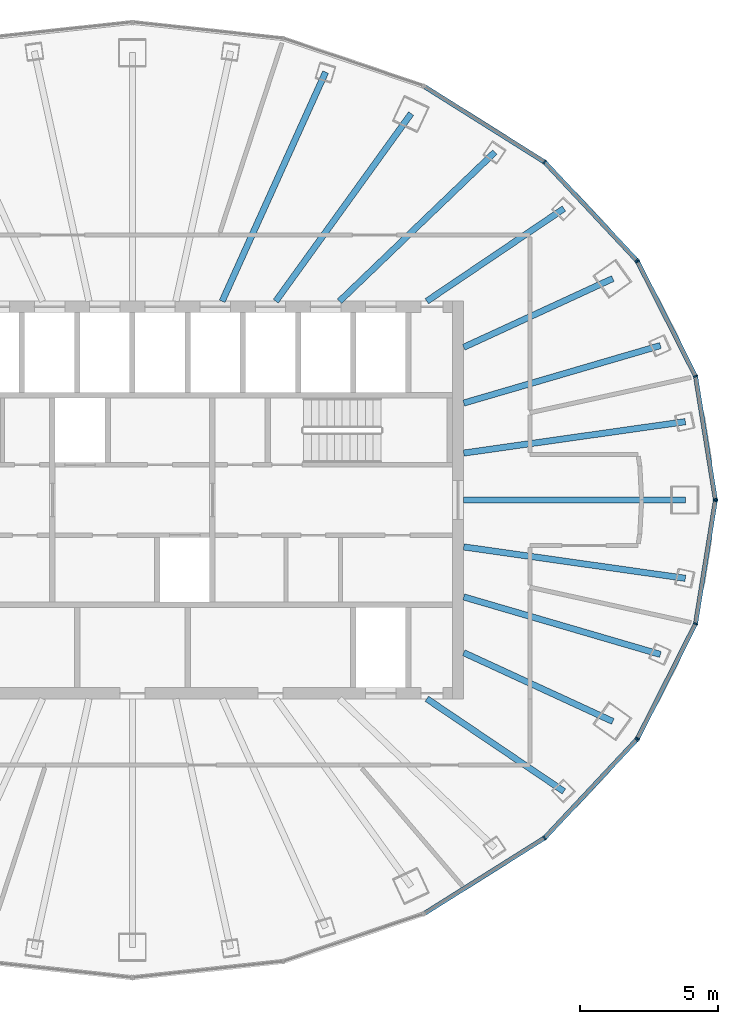
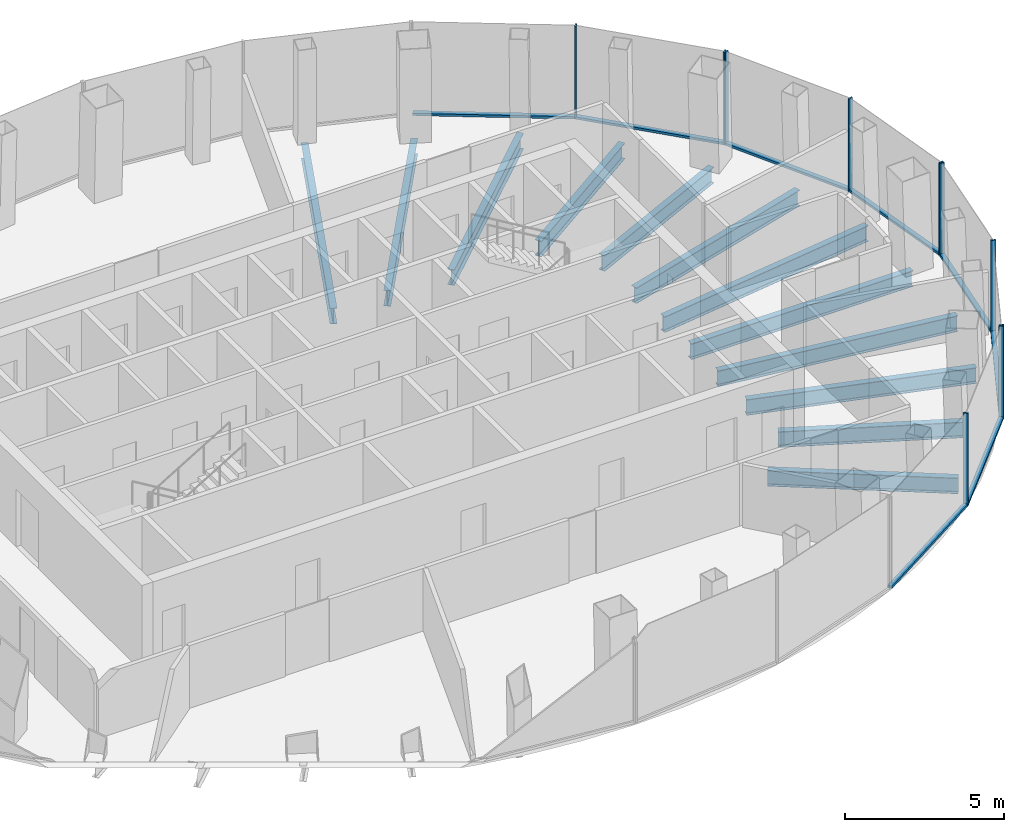
# One storey, part 5 of 11: 18 members, 12 beams, 4 elements without a shape of their own.
"""IFC4 building model written with IfcOpenShell, lengths in metres."""

from ifc_helpers import new_model, si_unit, direction, frame, origin, origin_2d, place, context, subcontext, project, spatial, rectangle, i_section, extrude, material, layer, layer_set, material_profile, profile_set, type_object, element, aggregate, save


model = new_model("IFC4")

# Units and contexts
model_context = context("Model", 3, precision=1e-05, world=origin(), true_north=direction((0.0, 1.0)))
body_context = subcontext(model_context, "Body", "Model", "MODEL_VIEW")
ifc_project = project(units=[si_unit("LENGTHUNIT", "METRE"), si_unit("AREAUNIT", "SQUARE_METRE"), si_unit("VOLUMEUNIT", "CUBIC_METRE"), si_unit("PLANEANGLEUNIT", "RADIAN"), si_unit("MASSUNIT", "GRAM", prefix="KILO")], contexts=[model_context])

# Site, building, storey
site_placement = place(None, origin())
site = spatial("IfcSite", under=ifc_project, at=site_placement, CompositionType="ELEMENT")
building_placement = place(site_placement, origin())
building = spatial("IfcBuilding", under=site, at=building_placement, Name="Siaravel Broadcast Tower", CompositionType="ELEMENT")
storey_placement = place(building_placement, frame((0.0, 0.0, 243.0)))
storey = spatial("IfcBuildingStorey", under=building, at=storey_placement, Name="L59", CompositionType="ELEMENT", Elevation=243.0)

# Beams
ifc_material_1 = material(Name="Steel S355", Category="steel")
ifc_material_profile_1 = material_profile(ifc_material_1, i_section(OverallWidth=0.2275390625, OverallDepth=0.6025390625, WebThickness=0.010498046875, FlangeThickness=0.014892578125, FilletRadius=0.0126953125, at=origin_2d()))
ifc_profile_set_1 = profile_set([ifc_material_profile_1], Name="Steel S355")
beam_type = type_object("IfcBeamType", Name="BM-UB 610x229x101", PredefinedType="BEAM", material=ifc_profile_set_1)
beam_1_placement = place(storey_placement, frame((20.031982421875, 0.0, -0.451416015625), z_axis=(-1.0, 0.0, 0.0), x_axis=(0.0, -1.0, 0.0)))
element("IfcBeam", 1, at=beam_1_placement, inside=storey, type_object=beam_type, Name="Radial beam RB01", PredefinedType="BEAM", context=body_context, shape_type="SweptSolid", body=[
    extrude(i_section(OverallWidth=0.2275390625, OverallDepth=0.6025390625, WebThickness=0.010498046875, FlangeThickness=0.014892578125, FilletRadius=0.0126953125, at=origin_2d()), origin(), (0.0, 0.0, 1.0), 8.031982421875),
])
beam_2_placement = place(storey_placement, frame((20.02880859375, 2.83740234375, -0.451416015625), z_axis=(-0.990113211, -0.140270554, 0.0), x_axis=(0.140270554, -0.990113211, 0.0)))
element("IfcBeam", 2, at=beam_2_placement, inside=storey, type_object=beam_type, Name="Radial beam RB02", PredefinedType="BEAM", context=body_context, shape_type="SweptSolid", body=[
    extrude(i_section(OverallWidth=0.2275390625, OverallDepth=0.6025390625, WebThickness=0.010498046875, FlangeThickness=0.014892578125, FilletRadius=0.0126953125, at=origin_2d()), origin(), (0.0, 0.0, 1.0), 8.10888671875),
])
beam_3_placement = place(storey_placement, frame((19.12646484375, 5.59521484375, -0.451416015625), z_axis=(-0.95977653, -0.280765049, 0.0), x_axis=(0.280765049, -0.95977653, 0.0)))
element("IfcBeam", 3, at=beam_3_placement, inside=storey, type_object=beam_type, Name="Radial beam RB03", PredefinedType="BEAM", context=body_context, shape_type="SweptSolid", body=[
    extrude(i_section(OverallWidth=0.2275390625, OverallDepth=0.6025390625, WebThickness=0.010498046875, FlangeThickness=0.014892578125, FilletRadius=0.0126953125, at=origin_2d()), origin(), (0.0, 0.0, 1.0), 7.425048828125),
])
beam_4_placement = place(storey_placement, frame((17.401611328125, 8.02099609375, -0.451416015625), z_axis=(-0.908170712, -0.418599997, 0.0), x_axis=(0.418599997, -0.908170712, 0.0)))
element("IfcBeam", 4, at=beam_4_placement, inside=storey, type_object=beam_type, Name="Radial beam RB04", PredefinedType="BEAM", context=body_context, shape_type="SweptSolid", body=[
    extrude(i_section(OverallWidth=0.2275390625, OverallDepth=0.6025390625, WebThickness=0.010498046875, FlangeThickness=0.014892578125, FilletRadius=0.0126953125, at=origin_2d()), origin(), (0.0, 0.0, 1.0), 5.94775390625),
])
beam_5_placement = place(storey_placement, frame((15.629150390625, 10.5537109375, -0.451416015625), z_axis=(-0.82874523, -0.559626074, 0.0), x_axis=(0.559626074, -0.82874523, 0.0)))
element("IfcBeam", 5, at=beam_5_placement, inside=storey, type_object=beam_type, Name="Radial beam RB05", PredefinedType="BEAM", context=body_context, shape_type="SweptSolid", body=[
    extrude(i_section(OverallWidth=0.2275390625, OverallDepth=0.6025390625, WebThickness=0.010498046875, FlangeThickness=0.014892578125, FilletRadius=0.0126953125, at=origin_2d()), origin(), (0.0, 0.0, 1.0), 5.992919921875),
])
beam_6_placement = place(storey_placement, frame((13.130126953125, 12.6005859375, -0.451416015625), z_axis=(-0.721496776, -0.692417795, 0.0), x_axis=(0.692417795, -0.721496776, 0.0)))
element("IfcBeam", 6, at=beam_6_placement, inside=storey, type_object=beam_type, Name="Radial beam RB06", PredefinedType="BEAM", context=body_context, shape_type="SweptSolid", body=[
    extrude(i_section(OverallWidth=0.2275390625, OverallDepth=0.6025390625, WebThickness=0.010498046875, FlangeThickness=0.014892578125, FilletRadius=0.0126953125, at=origin_2d()), origin(), (0.0, 0.0, 1.0), 7.799560546875),
])
beam_7_placement = place(storey_placement, frame((10.095703125, 13.995849609375, -0.451416015625), z_axis=(-0.585016008, -0.811021744, 0.0), x_axis=(0.811021744, -0.585016008, 0.0)))
element("IfcBeam", 7, at=beam_7_placement, inside=storey, type_object=beam_type, Name="Radial beam RB07", PredefinedType="BEAM", context=body_context, shape_type="SweptSolid", body=[
    extrude(i_section(OverallWidth=0.2275390625, OverallDepth=0.6025390625, WebThickness=0.010498046875, FlangeThickness=0.014892578125, FilletRadius=0.0126953125, at=origin_2d()), origin(), (0.0, 0.0, 1.0), 8.37939453125),
])
beam_8_placement = place(storey_placement, frame((6.9990234375, 15.498779296875, -0.451416015625), z_axis=(-0.411559424, -0.911382928, 0.0), x_axis=(0.911382928, -0.411559424, 0.0)))
element("IfcBeam", 8, at=beam_8_placement, inside=storey, type_object=beam_type, Name="Radial beam RB08", PredefinedType="BEAM", context=body_context, shape_type="SweptSolid", body=[
    extrude(i_section(OverallWidth=0.2275390625, OverallDepth=0.6025390625, WebThickness=0.010498046875, FlangeThickness=0.014892578125, FilletRadius=0.0126953125, at=origin_2d()), origin(), (0.0, 0.0, 1.0), 9.105712890625),
])
beam_9_placement = place(storey_placement, frame((15.629150390625, -10.5537109375, -0.451416015625), z_axis=(-0.82874523, 0.559626074, 0.0), x_axis=(-0.559626074, -0.82874523, 0.0)))
element("IfcBeam", 9, at=beam_9_placement, inside=storey, type_object=beam_type, Name="Radial beam RB33", PredefinedType="BEAM", context=body_context, shape_type="SweptSolid", body=[
    extrude(i_section(OverallWidth=0.2275390625, OverallDepth=0.6025390625, WebThickness=0.010498046875, FlangeThickness=0.014892578125, FilletRadius=0.0126953125, at=origin_2d()), origin(), (0.0, 0.0, 1.0), 5.992919921875),
])
beam_10_placement = place(storey_placement, frame((17.401611328125, -8.02099609375, -0.451416015625), z_axis=(-0.908170712, 0.418599997, 0.0), x_axis=(-0.418599997, -0.908170712, 0.0)))
element("IfcBeam", 10, at=beam_10_placement, inside=storey, type_object=beam_type, Name="Radial beam RB34", PredefinedType="BEAM", context=body_context, shape_type="SweptSolid", body=[
    extrude(i_section(OverallWidth=0.2275390625, OverallDepth=0.6025390625, WebThickness=0.010498046875, FlangeThickness=0.014892578125, FilletRadius=0.0126953125, at=origin_2d()), origin(), (0.0, 0.0, 1.0), 5.94775390625),
])
beam_11_placement = place(storey_placement, frame((19.12646484375, -5.59521484375, -0.451416015625), z_axis=(-0.95977653, 0.280765049, 0.0), x_axis=(-0.280765049, -0.95977653, 0.0)))
element("IfcBeam", 11, at=beam_11_placement, inside=storey, type_object=beam_type, Name="Radial beam RB35", PredefinedType="BEAM", context=body_context, shape_type="SweptSolid", body=[
    extrude(i_section(OverallWidth=0.2275390625, OverallDepth=0.6025390625, WebThickness=0.010498046875, FlangeThickness=0.014892578125, FilletRadius=0.0126953125, at=origin_2d()), origin(), (0.0, 0.0, 1.0), 7.425048828125),
])
beam_12_placement = place(storey_placement, frame((20.02880859375, -2.83740234375, -0.451416015625), z_axis=(-0.990113211, 0.140270554, 0.0), x_axis=(-0.140270554, -0.990113211, 0.0)))
element("IfcBeam", 12, at=beam_12_placement, inside=storey, type_object=beam_type, Name="Radial beam RB36", PredefinedType="BEAM", context=body_context, shape_type="SweptSolid", body=[
    extrude(i_section(OverallWidth=0.2275390625, OverallDepth=0.6025390625, WebThickness=0.010498046875, FlangeThickness=0.014892578125, FilletRadius=0.0126953125, at=origin_2d()), origin(), (0.0, 0.0, 1.0), 8.10888671875),
])

# Curtain wall, members
ifc_material_2 = material(Name="Aluminium 6063-T6", Category="aluminium")
ifc_layer = layer(ifc_material_2, 0.159912109375)
ifc_layer_set = layer_set([ifc_layer], Name="Aluminium 6063-T6")
curtain_wall_type = type_object("IfcCurtainWallType", Name="Unitised curtain wall, zone 4", PredefinedType="NOTDEFINED", material=ifc_layer_set)
curtain_wall_1_placement = place(storey_placement, origin())
curtain_wall_1 = element("IfcCurtainWall", 13, at=curtain_wall_1_placement, inside=storey, type_object=curtain_wall_type, Name="L59 Unitised curtain wall, zone 4 01", PredefinedType="NOTDEFINED")
ifc_material_profile_2 = material_profile(ifc_material_2, rectangle(XDim=0.159912109375, YDim=0.054931640625, at=origin_2d()))
ifc_profile_set_2 = profile_set([ifc_material_profile_2], Name="Aluminium 6063-T6")
member_type_1 = type_object("IfcMemberType", Name="CW-Z4 mullion", PredefinedType="MULLION", material=ifc_profile_set_2)
member_1_placement = place(storey_placement, frame((21.11328125, 0.027099609375, 0.0), z_axis=(0.0, 0.0, 1.0), x_axis=(-0.987329304, -0.158684735, 0.0)))
member_1 = element("IfcMember", 14, at=member_1_placement, type_object=member_type_1, Name="CW-Z4 mullion 1", PredefinedType="MULLION", context=body_context, shape_type="SweptSolid", body=[
    extrude(rectangle(XDim=0.159912109375, YDim=0.054931640625, at=origin_2d()), origin(), (0.0, 0.0, 1.0), 3.550048828125),
])
member_2_placement = place(storey_placement, frame((20.3974609375, 4.48193359375, 0.0), z_axis=(0.0, 0.0, 1.0), x_axis=(-0.951177611, -0.308644055, 0.0)))
member_2 = element("IfcMember", 15, at=member_2_placement, type_object=member_type_1, Name="CW-Z4 mullion 2", PredefinedType="MULLION", context=body_context, shape_type="SweptSolid", body=[
    extrude(rectangle(XDim=0.159912109375, YDim=0.054931640625, at=origin_2d()), origin(), (0.0, 0.0, 1.0), 3.550048828125),
])
member_3_placement = place(storey_placement, frame((18.298583984375, 8.6328125, 0.0), z_axis=(0.0, 0.0, 1.0), x_axis=(-0.892392891, -0.451259268, 0.0)))
member_3 = element("IfcMember", 16, at=member_3_placement, type_object=member_type_1, Name="CW-Z4 mullion 3", PredefinedType="MULLION", context=body_context, shape_type="SweptSolid", body=[
    extrude(rectangle(XDim=0.159912109375, YDim=0.054931640625, at=origin_2d()), origin(), (0.0, 0.0, 1.0), 3.550048828125),
])

curtain_wall_2_placement = place(storey_placement, origin())
curtain_wall_2 = element("IfcCurtainWall", 17, at=curtain_wall_2_placement, inside=storey, type_object=curtain_wall_type, Name="L59 Unitised curtain wall, zone 4 02", PredefinedType="NOTDEFINED")
member_4_placement = place(storey_placement, frame((18.267333984375, 8.67724609375, 0.0), z_axis=(0.0, 0.0, 1.0), x_axis=(-0.729806527, -0.683653738, 0.0)))
member_4 = element("IfcMember", 18, at=member_4_placement, type_object=member_type_1, Name="CW-Z4 mullion 1", PredefinedType="MULLION", context=body_context, shape_type="SweptSolid", body=[
    extrude(rectangle(XDim=0.159912109375, YDim=0.054931640625, at=origin_2d()), origin(), (0.0, 0.0, 1.0), 3.550048828125),
])
member_5_placement = place(storey_placement, frame((14.928955078125, 12.2412109375, 0.0), z_axis=(0.0, 0.0, 1.0), x_axis=(-0.636219923, -0.771507751, 0.0)))
member_5 = element("IfcMember", 19, at=member_5_placement, type_object=member_type_1, Name="CW-Z4 mullion 2", PredefinedType="MULLION", context=body_context, shape_type="SweptSolid", body=[
    extrude(rectangle(XDim=0.159912109375, YDim=0.054931640625, at=origin_2d()), origin(), (0.0, 0.0, 1.0), 3.550048828125),
])

curtain_wall_3_placement = place(storey_placement, origin())
curtain_wall_3 = element("IfcCurtainWall", 20, at=curtain_wall_3_placement, inside=storey, type_object=curtain_wall_type, Name="L59 Unitised curtain wall, zone 4 11", PredefinedType="NOTDEFINED")
member_6_placement = place(storey_placement, frame((14.928955078125, -12.2412109375, 0.0), z_axis=(0.0, 0.0, 1.0), x_axis=(-0.636219923, 0.771507751, 0.0)))
member_6 = element("IfcMember", 21, at=member_6_placement, type_object=member_type_1, Name="CW-Z4 mullion 2", PredefinedType="MULLION", context=body_context, shape_type="SweptSolid", body=[
    extrude(rectangle(XDim=0.159912109375, YDim=0.054931640625, at=origin_2d()), origin(), (0.0, 0.0, 1.0), 3.550048828125),
])
member_7_placement = place(storey_placement, frame((18.267333984375, -8.67724609375, 0.0), z_axis=(0.0, 0.0, 1.0), x_axis=(-0.729806527, 0.683653738, 0.0)))
member_7 = element("IfcMember", 22, at=member_7_placement, type_object=member_type_1, Name="CW-Z4 mullion 3", PredefinedType="MULLION", context=body_context, shape_type="SweptSolid", body=[
    extrude(rectangle(XDim=0.159912109375, YDim=0.054931640625, at=origin_2d()), origin(), (0.0, 0.0, 1.0), 3.550048828125),
])

curtain_wall_4_placement = place(storey_placement, origin())
curtain_wall_4 = element("IfcCurtainWall", 23, at=curtain_wall_4_placement, inside=storey, type_object=curtain_wall_type, Name="L59 Unitised curtain wall, zone 4 12", PredefinedType="NOTDEFINED")
member_8_placement = place(storey_placement, frame((18.298583984375, -8.6328125, 0.0), z_axis=(0.0, 0.0, 1.0), x_axis=(-0.892392891, 0.451259268, 0.0)))
member_8 = element("IfcMember", 24, at=member_8_placement, type_object=member_type_1, Name="CW-Z4 mullion 1", PredefinedType="MULLION", context=body_context, shape_type="SweptSolid", body=[
    extrude(rectangle(XDim=0.159912109375, YDim=0.054931640625, at=origin_2d()), origin(), (0.0, 0.0, 1.0), 3.550048828125),
])
member_9_placement = place(storey_placement, frame((20.3974609375, -4.48193359375, 0.0), z_axis=(0.0, 0.0, 1.0), x_axis=(-0.951177611, 0.308644055, 0.0)))
member_9 = element("IfcMember", 25, at=member_9_placement, type_object=member_type_1, Name="CW-Z4 mullion 2", PredefinedType="MULLION", context=body_context, shape_type="SweptSolid", body=[
    extrude(rectangle(XDim=0.159912109375, YDim=0.054931640625, at=origin_2d()), origin(), (0.0, 0.0, 1.0), 3.550048828125),
])
member_10_placement = place(storey_placement, frame((21.11328125, -0.027099609375, 0.0), z_axis=(0.0, 0.0, 1.0), x_axis=(-0.987329304, 0.158684735, 0.0)))
member_10 = element("IfcMember", 26, at=member_10_placement, type_object=member_type_1, Name="CW-Z4 mullion 3", PredefinedType="MULLION", context=body_context, shape_type="SweptSolid", body=[
    extrude(rectangle(XDim=0.159912109375, YDim=0.054931640625, at=origin_2d()), origin(), (0.0, 0.0, 1.0), 3.550048828125),
])

# Member
ifc_material_profile_3 = material_profile(ifc_material_2, rectangle(XDim=0.159912109375, YDim=0.090087890625, at=origin_2d()))
ifc_profile_set_3 = profile_set([ifc_material_profile_3], Name="Aluminium 6063-T6")
member_type_2 = type_object("IfcMemberType", Name="CW-Z4 transom", PredefinedType="USERDEFINED", material=ifc_profile_set_3)
member_11_placement = place(storey_placement, frame((21.109130859375, 0.05419921875, 0.044921875), z_axis=(-0.15868477, 0.987329299, 0.0), x_axis=(-0.987329299, -0.15868477, 0.0)))
member_11 = element("IfcMember", 27, at=member_11_placement, type_object=member_type_2, Name="CW-Z4 transom 1", ObjectType="TRANSOM", PredefinedType="USERDEFINED", context=body_context, shape_type="SweptSolid", body=[
    extrude(rectangle(XDim=0.159912109375, YDim=0.090087890625, at=origin_2d()), origin(), (0.0, 0.0, 1.0), 4.45703125),
])

member_12_placement = place(storey_placement, frame((20.385009765625, 4.506591796875, 0.044921875), z_axis=(-0.451288387, 0.892378166, 0.0), x_axis=(-0.892378166, -0.451288387, 0.0)))
member_12 = element("IfcMember", 28, at=member_12_placement, type_object=member_type_2, Name="CW-Z4 transom 2", ObjectType="TRANSOM", PredefinedType="USERDEFINED", context=body_context, shape_type="SweptSolid", body=[
    extrude(rectangle(XDim=0.159912109375, YDim=0.090087890625, at=origin_2d()), origin(), (0.0, 0.0, 1.0), 4.59619140625),
])

aggregate(curtain_wall_1, [member_1, member_2, member_3, member_11, member_12])

member_13_placement = place(storey_placement, frame((18.24853515625, 8.697509765625, 0.044921875), z_axis=(-0.683646721, 0.7298131, 0.0), x_axis=(-0.7298131, -0.683646721, 0.0)))
member_13 = element("IfcMember", 29, at=member_13_placement, type_object=member_type_2, Name="CW-Z4 transom 1", ObjectType="TRANSOM", PredefinedType="USERDEFINED", context=body_context, shape_type="SweptSolid", body=[
    extrude(rectangle(XDim=0.159912109375, YDim=0.090087890625, at=origin_2d()), origin(), (0.0, 0.0, 1.0), 4.828125),
])

member_14_placement = place(storey_placement, frame((14.905517578125, 12.255859375, 0.044921875), z_axis=(-0.84666808, 0.532121379, 0.0), x_axis=(-0.532121379, -0.84666808, 0.0)))
member_14 = element("IfcMember", 30, at=member_14_placement, type_object=member_type_2, Name="CW-Z4 transom 2", ObjectType="TRANSOM", PredefinedType="USERDEFINED", context=body_context, shape_type="SweptSolid", body=[
    extrude(rectangle(XDim=0.159912109375, YDim=0.090087890625, at=origin_2d()), origin(), (0.0, 0.0, 1.0), 5.0830078125),
])

aggregate(curtain_wall_2, [member_4, member_5, member_13, member_14])

member_15_placement = place(storey_placement, frame((10.601806640625, -14.960693359375, 0.044921875), z_axis=(0.84666808, 0.532121379, 0.0), x_axis=(-0.532121379, 0.84666808, 0.0)))
member_15 = element("IfcMember", 31, at=member_15_placement, type_object=member_type_2, Name="CW-Z4 transom 1", ObjectType="TRANSOM", PredefinedType="USERDEFINED", context=body_context, shape_type="SweptSolid", body=[
    extrude(rectangle(XDim=0.159912109375, YDim=0.090087890625, at=origin_2d()), origin(), (0.0, 0.0, 1.0), 5.0830078125),
])

member_16_placement = place(storey_placement, frame((14.94775390625, -12.22119140625, 0.044921875), z_axis=(0.683646721, 0.7298131, 0.0), x_axis=(-0.7298131, 0.683646721, 0.0)))
member_16 = element("IfcMember", 32, at=member_16_placement, type_object=member_type_2, Name="CW-Z4 transom 2", ObjectType="TRANSOM", PredefinedType="USERDEFINED", context=body_context, shape_type="SweptSolid", body=[
    extrude(rectangle(XDim=0.159912109375, YDim=0.090087890625, at=origin_2d()), origin(), (0.0, 0.0, 1.0), 4.828125),
])

aggregate(curtain_wall_3, [member_6, member_7, member_15, member_16])

member_17_placement = place(storey_placement, frame((18.310791015625, -8.608154296875, 0.044921875), z_axis=(0.451288387, 0.892378166, 0.0), x_axis=(-0.892378166, 0.451288387, 0.0)))
member_17 = element("IfcMember", 33, at=member_17_placement, type_object=member_type_2, Name="CW-Z4 transom 1", ObjectType="TRANSOM", PredefinedType="USERDEFINED", context=body_context, shape_type="SweptSolid", body=[
    extrude(rectangle(XDim=0.159912109375, YDim=0.090087890625, at=origin_2d()), origin(), (0.0, 0.0, 1.0), 4.59619140625),
])

member_18_placement = place(storey_placement, frame((20.40185546875, -4.454833984375, 0.044921875), z_axis=(0.15868477, 0.987329299, 0.0), x_axis=(-0.987329299, 0.15868477, 0.0)))
member_18 = element("IfcMember", 34, at=member_18_placement, type_object=member_type_2, Name="CW-Z4 transom 2", ObjectType="TRANSOM", PredefinedType="USERDEFINED", context=body_context, shape_type="SweptSolid", body=[
    extrude(rectangle(XDim=0.159912109375, YDim=0.090087890625, at=origin_2d()), origin(), (0.0, 0.0, 1.0), 4.45703125),
])

aggregate(curtain_wall_4, [member_8, member_9, member_10, member_17, member_18])

save(model, "model.ifc")
